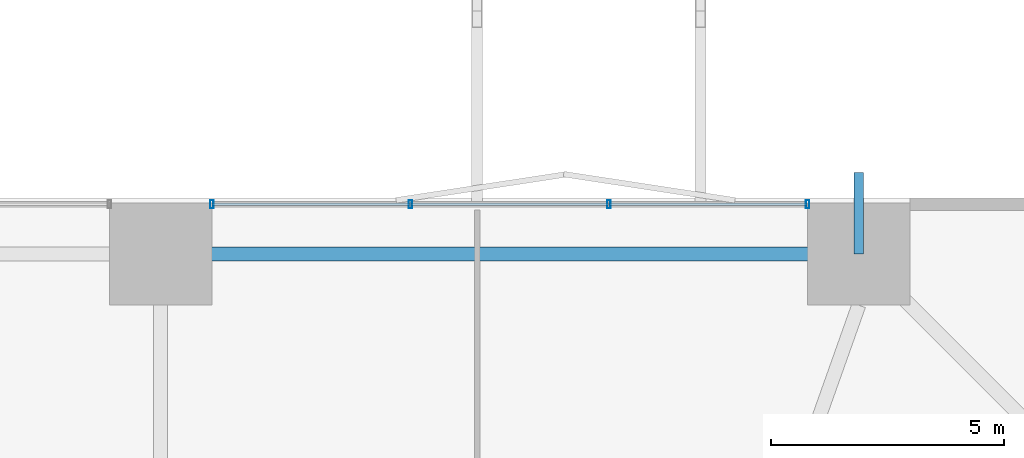
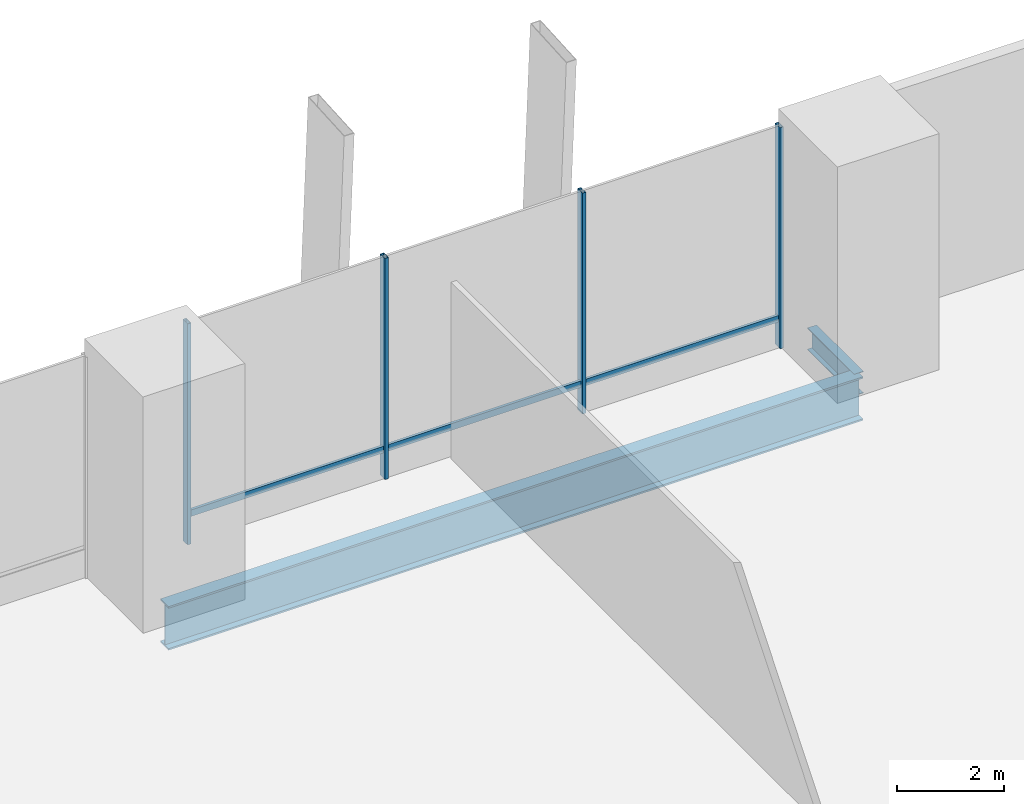
# One storey, part 17 of 24: 7 members, 2 beams, 1 element without a shape of its own.
"""IFC4 building model written with IfcOpenShell, lengths in metres."""

from ifc_helpers import new_model, si_unit, direction, frame, origin, origin_2d, place, context, subcontext, project, spatial, hollow_rectangle, i_section, extrude, material, layer, layer_set, material_profile, profile_set, type_object, element, aggregate, save


model = new_model("IFC4")

# Units and contexts
model_context = context("Model", 3, precision=1e-05, world=origin(), true_north=direction((0.0, 1.0)))
body_context = subcontext(model_context, "Body", "Model", "MODEL_VIEW")
ifc_project = project(units=[si_unit("LENGTHUNIT", "METRE"), si_unit("AREAUNIT", "SQUARE_METRE"), si_unit("VOLUMEUNIT", "CUBIC_METRE"), si_unit("PLANEANGLEUNIT", "RADIAN"), si_unit("MASSUNIT", "GRAM", prefix="KILO")], contexts=[model_context])

# Site, building, storey
site_placement = place(None, origin())
site = spatial("IfcSite", under=ifc_project, at=site_placement, CompositionType="ELEMENT")
building_placement = place(site_placement, origin())
building = spatial("IfcBuilding", under=site, at=building_placement, Name="Belovzor Exchange Tower", CompositionType="ELEMENT")
storey_placement = place(building_placement, frame((0.0, 0.0, 8.39990234375)))
storey = spatial("IfcBuildingStorey", under=building, at=storey_placement, Name="L02", CompositionType="ELEMENT", Elevation=8.39990234375)

# Beams
ifc_material_1 = material(Name="Steel S355", Category="steel")
ifc_material_profile_1 = material_profile(ifc_material_1, i_section(OverallWidth=0.199951171875, OverallDepth=0.5, WebThickness=0.01025390625, FlangeThickness=0.01611328125, at=origin_2d()))
ifc_profile_set_1 = profile_set([ifc_material_profile_1], Name="Steel S355")
beam_type_1 = type_object("IfcBeamType", Name="Planted Balcony Cantilever Beam IPE 500", PredefinedType="BEAM", material=ifc_profile_set_1)
beam_1_placement = place(storey_placement, frame((43.800048828125, 55.800048828125, -0.599853515625), z_axis=(0.0, 1.0, 0.0), x_axis=(-1.0, 0.0, 0.0)))
element("IfcBeam", 1, at=beam_1_placement, inside=storey, type_object=beam_type_1, Name="BC-500 Planted Balcony Cantilever Beam IPE 500", PredefinedType="BEAM", context=body_context, shape_type="SweptSolid", body=[
    extrude(i_section(OverallWidth=0.199951171875, OverallDepth=0.5, WebThickness=0.01025390625, FlangeThickness=0.01611328125, at=origin_2d()), origin(), (0.0, 0.0, 1.0), 1.75),
])
ifc_material_2 = material(Name="Steel S460", Category="steel")
ifc_material_profile_2 = material_profile(ifc_material_2, i_section(OverallWidth=0.300048828125, OverallDepth=1.0, WebThickness=0.02099609375, FlangeThickness=0.0400390625, at=origin_2d()))
ifc_profile_set_2 = profile_set([ifc_material_profile_2], Name="Steel S460")
beam_type_2 = type_object("IfcBeamType", Name="Podium Exchange Hall Ring Girder HEM 1000", PredefinedType="BEAM", material=ifc_profile_set_2)
beam_2_placement = place(storey_placement, frame((43.800048828125, 55.800048828125, -0.849853515625), z_axis=(-1.0, 0.0, 0.0), x_axis=(0.0, -1.0, 0.0)))
element("IfcBeam", 2, at=beam_2_placement, inside=storey, type_object=beam_type_2, Name="PG-1 Podium Exchange Hall Ring Girder HEM 1000", PredefinedType="BEAM", context=body_context, shape_type="SweptSolid", body=[
    extrude(i_section(OverallWidth=0.300048828125, OverallDepth=1.0, WebThickness=0.02099609375, FlangeThickness=0.0400390625, at=origin_2d()), origin(), (0.0, 0.0, 1.0), 15.0),
])

# Curtain wall, members
ifc_material_3 = material(Name="Anodised Aluminium Framing", Category="aluminium")
ifc_layer = layer(ifc_material_3, 0.219970703125)
ifc_layer_set = layer_set([ifc_layer], Name="Anodised Aluminium Framing")
curtain_wall_type = type_object("IfcCurtainWallType", Name="Podium Clear-Span Exchange Hall Unitised Curtain Wall", PredefinedType="NOTDEFINED", material=ifc_layer_set)
curtain_wall_placement = place(storey_placement, origin())
curtain_wall = element("IfcCurtainWall", 3, at=curtain_wall_placement, inside=storey, type_object=curtain_wall_type, Name="CW1 Podium Clear-Span Exchange Hall Unitised Curtain Wall L02", PredefinedType="NOTDEFINED")
ifc_material_4 = material(Name="Steel S355", Category="steel")
ifc_material_profile_3 = material_profile(ifc_material_4, hollow_rectangle(XDim=0.074951171875, YDim=0.179931640625, WallThickness=0.0048828125, at=origin_2d()))
ifc_profile_set_3 = profile_set([ifc_material_profile_3], Name="Steel S355")
member_type_1 = type_object("IfcMemberType", Name="Thermally Broken Curtain Wall Mullion 180x75", PredefinedType="MULLION", material=ifc_profile_set_3)
member_1_placement = place(storey_placement, frame((29.89990234375, 56.8701171875, 0.0), z_axis=(0.0, 0.0, 1.0), x_axis=(1.0, 0.0, 0.0)))
member_1 = element("IfcMember", 4, at=member_1_placement, type_object=member_type_1, Name="CW-M180 Curtain Wall Mullion 1", PredefinedType="MULLION", context=body_context, shape_type="SweptSolid", body=[
    extrude(hollow_rectangle(XDim=0.074951171875, YDim=0.179931640625, WallThickness=0.0048828125, at=origin_2d()), origin(), (0.0, 0.0, 1.0), 5.050048828125),
])
member_2_placement = place(storey_placement, frame((34.1669921875, 56.8701171875, 0.0), z_axis=(0.0, 0.0, 1.0), x_axis=(1.0, 0.0, 0.0)))
member_2 = element("IfcMember", 5, at=member_2_placement, type_object=member_type_1, Name="CW-M180 Curtain Wall Mullion 2", PredefinedType="MULLION", context=body_context, shape_type="SweptSolid", body=[
    extrude(hollow_rectangle(XDim=0.074951171875, YDim=0.179931640625, WallThickness=0.0048828125, at=origin_2d()), origin(), (0.0, 0.0, 1.0), 5.050048828125),
])
member_3_placement = place(storey_placement, frame((38.43310546875, 56.8701171875, 0.0), z_axis=(0.0, 0.0, 1.0), x_axis=(1.0, 0.0, 0.0)))
member_3 = element("IfcMember", 6, at=member_3_placement, type_object=member_type_1, Name="CW-M180 Curtain Wall Mullion 3", PredefinedType="MULLION", context=body_context, shape_type="SweptSolid", body=[
    extrude(hollow_rectangle(XDim=0.074951171875, YDim=0.179931640625, WallThickness=0.0048828125, at=origin_2d()), origin(), (0.0, 0.0, 1.0), 5.050048828125),
])
member_4_placement = place(storey_placement, frame((42.699951171875, 56.8701171875, 0.0), z_axis=(0.0, 0.0, 1.0), x_axis=(1.0, 0.0, 0.0)))
member_4 = element("IfcMember", 7, at=member_4_placement, type_object=member_type_1, Name="CW-M180 Curtain Wall Mullion 4", PredefinedType="MULLION", context=body_context, shape_type="SweptSolid", body=[
    extrude(hollow_rectangle(XDim=0.074951171875, YDim=0.179931640625, WallThickness=0.0048828125, at=origin_2d()), origin(), (0.0, 0.0, 1.0), 5.050048828125),
])
ifc_material_5 = material(Name="Steel S355", Category="steel")
ifc_material_profile_4 = material_profile(ifc_material_5, hollow_rectangle(XDim=0.06005859375, YDim=0.14990234375, WallThickness=0.00390625, at=origin_2d()))
ifc_profile_set_4 = profile_set([ifc_material_profile_4], Name="Steel S355")
member_type_2 = type_object("IfcMemberType", Name="Thermally Broken Curtain Wall Transom 150x60", PredefinedType="USERDEFINED", material=ifc_profile_set_4)
member_5_placement = place(storey_placement, frame((29.907958984375, 56.8701171875, 0.650146484375), z_axis=(1.0, 0.0, 0.0), x_axis=(0.0, 1.0, 0.0)))
member_5 = element("IfcMember", 8, at=member_5_placement, type_object=member_type_2, Name="CW-T150 Curtain Wall Transom 1", ObjectType="TRANSOM", PredefinedType="USERDEFINED", context=body_context, shape_type="SweptSolid", body=[
    extrude(hollow_rectangle(XDim=0.06005859375, YDim=0.14990234375, WallThickness=0.00390625, at=origin_2d()), origin(), (0.0, 0.0, 1.0), 4.2509765625),
])
member_6_placement = place(storey_placement, frame((34.175048828125, 56.8701171875, 0.650146484375), z_axis=(1.0, 0.0, 0.0), x_axis=(0.0, 1.0, 0.0)))
member_6 = element("IfcMember", 9, at=member_6_placement, type_object=member_type_2, Name="CW-T150 Curtain Wall Transom 2", ObjectType="TRANSOM", PredefinedType="USERDEFINED", context=body_context, shape_type="SweptSolid", body=[
    extrude(hollow_rectangle(XDim=0.06005859375, YDim=0.14990234375, WallThickness=0.00390625, at=origin_2d()), origin(), (0.0, 0.0, 1.0), 4.25),
])
member_7_placement = place(storey_placement, frame((38.44091796875, 56.8701171875, 0.650146484375), z_axis=(1.0, 0.0, 0.0), x_axis=(0.0, 1.0, 0.0)))
member_7 = element("IfcMember", 10, at=member_7_placement, type_object=member_type_2, Name="CW-T150 Curtain Wall Transom 3", ObjectType="TRANSOM", PredefinedType="USERDEFINED", context=body_context, shape_type="SweptSolid", body=[
    extrude(hollow_rectangle(XDim=0.06005859375, YDim=0.14990234375, WallThickness=0.00390625, at=origin_2d()), origin(), (0.0, 0.0, 1.0), 4.2509765625),
])
aggregate(curtain_wall, [member_1, member_2, member_3, member_4, member_5, member_6, member_7])

save(model, "model.ifc")
